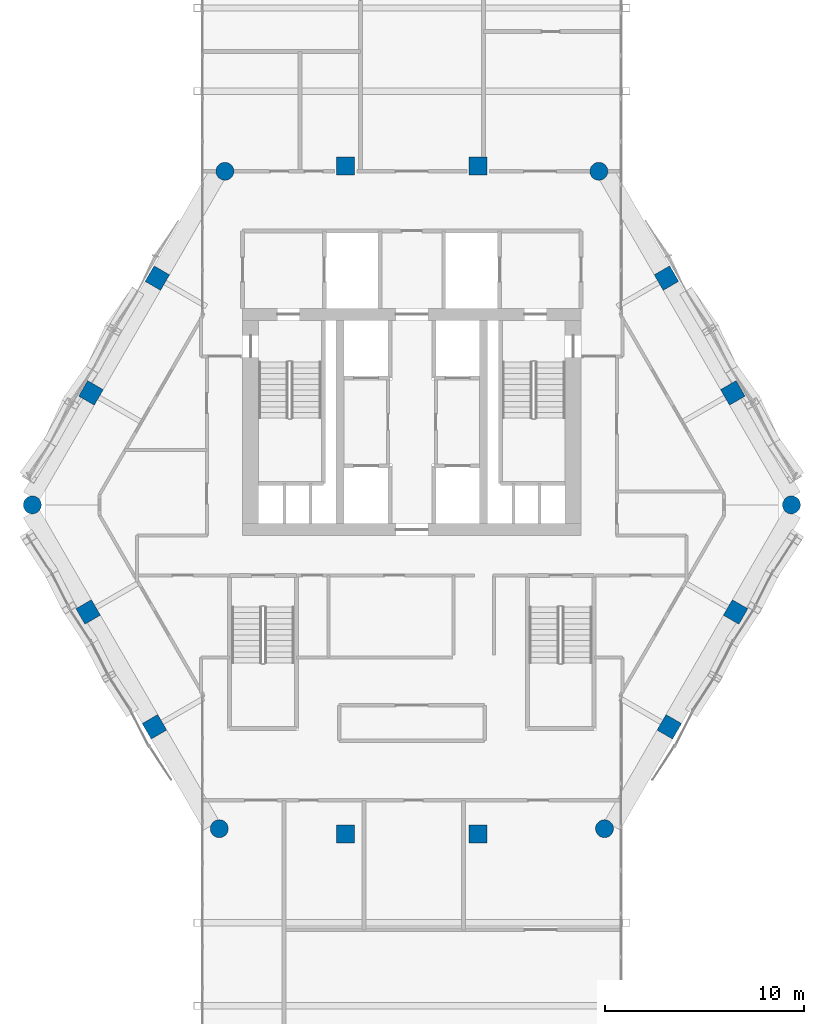
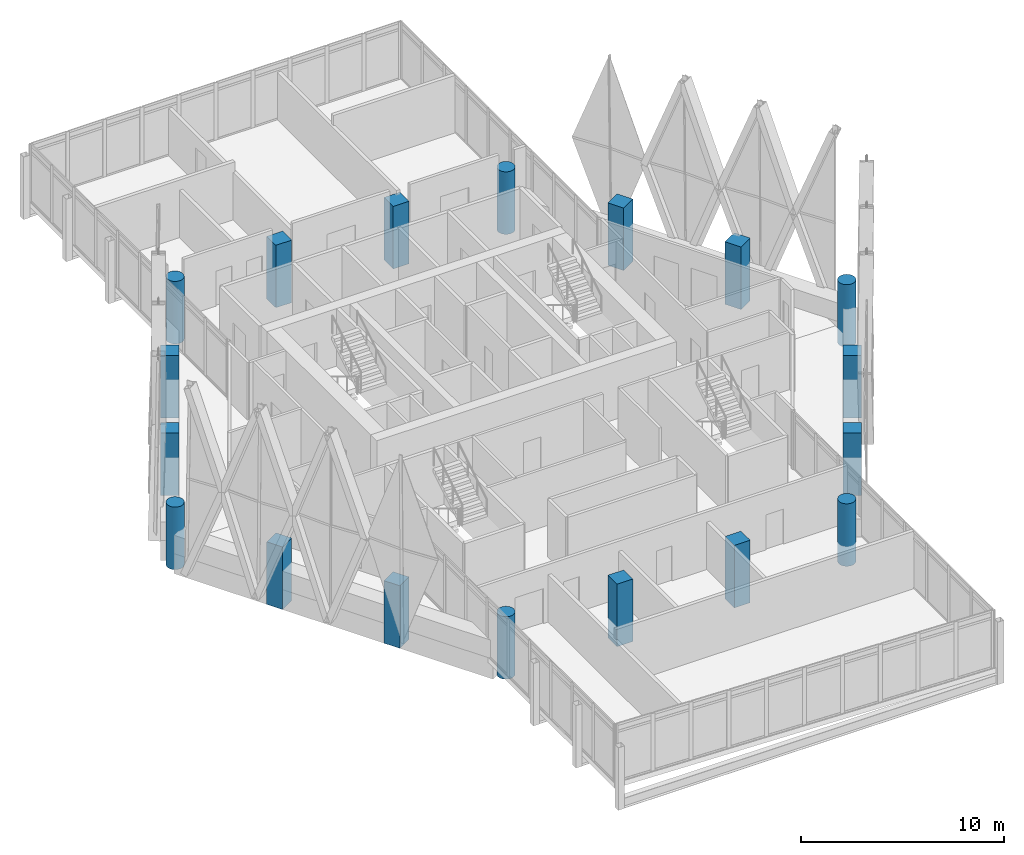
# One storey, part 1 of 37: 18 columns.
"""IFC4 building model written with IfcOpenShell, lengths in metres."""

from ifc_helpers import new_model, si_unit, direction, frame, origin, origin_2d, place, context, subcontext, project, spatial, rectangle, circle, extrude, material, material_profile, profile_set, type_object, element, save


model = new_model("IFC4")

# Units and contexts
model_context = context("Model", 3, precision=1e-05, world=origin(), true_north=direction((0.0, 1.0)))
body_context = subcontext(model_context, "Body", "Model", "MODEL_VIEW")
ifc_project = project(units=[si_unit("LENGTHUNIT", "METRE"), si_unit("AREAUNIT", "SQUARE_METRE"), si_unit("VOLUMEUNIT", "CUBIC_METRE"), si_unit("PLANEANGLEUNIT", "RADIAN"), si_unit("MASSUNIT", "GRAM", prefix="KILO")], contexts=[model_context])

# Site, building, storey
site_placement = place(None, origin())
site = spatial("IfcSite", under=ifc_project, at=site_placement, CompositionType="ELEMENT")
building_placement = place(site_placement, origin())
building = spatial("IfcBuilding", under=site, at=building_placement, Name="Ostrander Bayou Hotel Tower", CompositionType="ELEMENT")
storey_placement = place(building_placement, frame((0.0, 0.0, 225.75)))
storey = spatial("IfcBuildingStorey", under=building, at=storey_placement, Name="L56", CompositionType="ELEMENT", Elevation=225.75)

# Columns
ifc_material_1 = material(Name="Concrete f'c 60 MPa", Category="concrete")
ifc_material_profile_1 = material_profile(ifc_material_1, circle(Radius=0.449951171875, at=origin_2d()))
ifc_profile_set_1 = profile_set([ifc_material_profile_1], Name="Concrete f'c 60 MPa")
column_type_1 = type_object("IfcColumnType", Name="C7 round column 900 mm f'c 60 MPa", PredefinedType="COLUMN", material=ifc_profile_set_1)
for number, where, z_axis, x_axis, name in (
    (1, (-9.388671875, 16.588623046875, -1.199951171875), (0.0, 0.0, 1.0), (1.0, 0.0, 0.0), "C7 L56 K0"),
    (2, (-19.060546875, -0.163818359375, -1.199951171875), (0.0, 0.0, 1.0), (1.0, 0.0, 0.0), "C7 L56 K1"),
    (3, (-9.672119140625, -16.425048828125, -1.199951171875), (0.0, 0.0, 1.0), (1.0, 0.0, 0.0), "C7 L56 K2"),
    (4, (9.672119140625, -16.425048828125, -1.199951171875), (0.0, 0.0, 1.0), (1.0, 0.0, 0.0), "C7 L56 K3"),
    (5, (19.060546875, -0.163818359375, -1.199951171875), (0.0, 0.0, 1.0), (1.0, 0.0, 0.0), "C7 L56 K4"),
    (6, (9.388671875, 16.588623046875, -1.199951171875), (0.0, 0.0, 1.0), (1.0, 0.0, 0.0), "C7 L56 K5"),
):
    element("IfcColumn", number, at=place(storey_placement, frame(where, z_axis=z_axis, x_axis=x_axis)), inside=storey, type_object=column_type_1, Name=name, PredefinedType="COLUMN", context=body_context, shape_type="SweptSolid", body=[
        extrude(circle(Radius=0.449951171875, at=origin_2d()), origin(), (0.0, 0.0, 1.0), 3.75),
    ])
ifc_material_2 = material(Name="Concrete f'c 60 MPa", Category="concrete")
ifc_material_profile_2 = material_profile(ifc_material_2, rectangle(XDim=0.89990234375, YDim=0.89990234375, at=origin_2d()))
ifc_profile_set_2 = profile_set([ifc_material_profile_2], Name="Concrete f'c 60 MPa")
column_type_2 = type_object("IfcColumnType", Name="C8 square column 900 x 900 mm f'c 60 MPa", PredefinedType="COLUMN", material=ifc_profile_set_2)
for number, where, z_axis, x_axis, name in (
    (7, (3.329345703125, 16.85009765625, -1.199951171875), (0.0, 0.0, 1.0), (1.0, 0.0, 0.0), "C8 L56 N1"),
    (8, (-3.329345703125, 16.85009765625, -1.199951171875), (0.0, 0.0, 1.0), (1.0, 0.0, 0.0), "C8 L56 N2"),
    (9, (-12.7861328125, 11.2265625, -1.199951171875), (0.0, 0.0, 1.0), (0.5, 0.866025403784, 0.0), "C8 L56 NW1"),
    (10, (-16.115478515625, 5.459716796875, -1.199951171875), (0.0, 0.0, 1.0), (0.5, 0.866025403784, 0.0), "C8 L56 NW2"),
    (11, (-16.257080078125, -5.541748046875, -1.199951171875), (0.0, 0.0, 1.0), (-0.5, 0.866025403784, 0.0), "C8 L56 SW1"),
    (12, (-12.927734375, -11.308349609375, -1.199951171875), (0.0, 0.0, 1.0), (-0.5, 0.866025403784, 0.0), "C8 L56 SW2"),
    (13, (-3.329345703125, -16.686279296875, -1.199951171875), (0.0, 0.0, 1.0), (-1.0, 0.0, 0.0), "C8 L56 S1"),
    (14, (3.329345703125, -16.686279296875, -1.199951171875), (0.0, 0.0, 1.0), (-1.0, 0.0, 0.0), "C8 L56 S2"),
    (15, (12.927734375, -11.308349609375, -1.199951171875), (0.0, 0.0, 1.0), (-0.5, -0.866025403784, 0.0), "C8 L56 SE1"),
    (16, (16.257080078125, -5.541748046875, -1.199951171875), (0.0, 0.0, 1.0), (-0.5, -0.866025403784, 0.0), "C8 L56 SE2"),
    (17, (16.115478515625, 5.459716796875, -1.199951171875), (0.0, 0.0, 1.0), (0.5, -0.866025403784, 0.0), "C8 L56 NE1"),
    (18, (12.7861328125, 11.2265625, -1.199951171875), (0.0, 0.0, 1.0), (0.5, -0.866025403784, 0.0), "C8 L56 NE2"),
):
    element("IfcColumn", number, at=place(storey_placement, frame(where, z_axis=z_axis, x_axis=x_axis)), inside=storey, type_object=column_type_2, Name=name, PredefinedType="COLUMN", context=body_context, shape_type="SweptSolid", body=[
        extrude(rectangle(XDim=0.89990234375, YDim=0.89990234375, at=origin_2d()), origin(), (0.0, 0.0, 1.0), 3.75),
    ])

save(model, "model.ifc")
